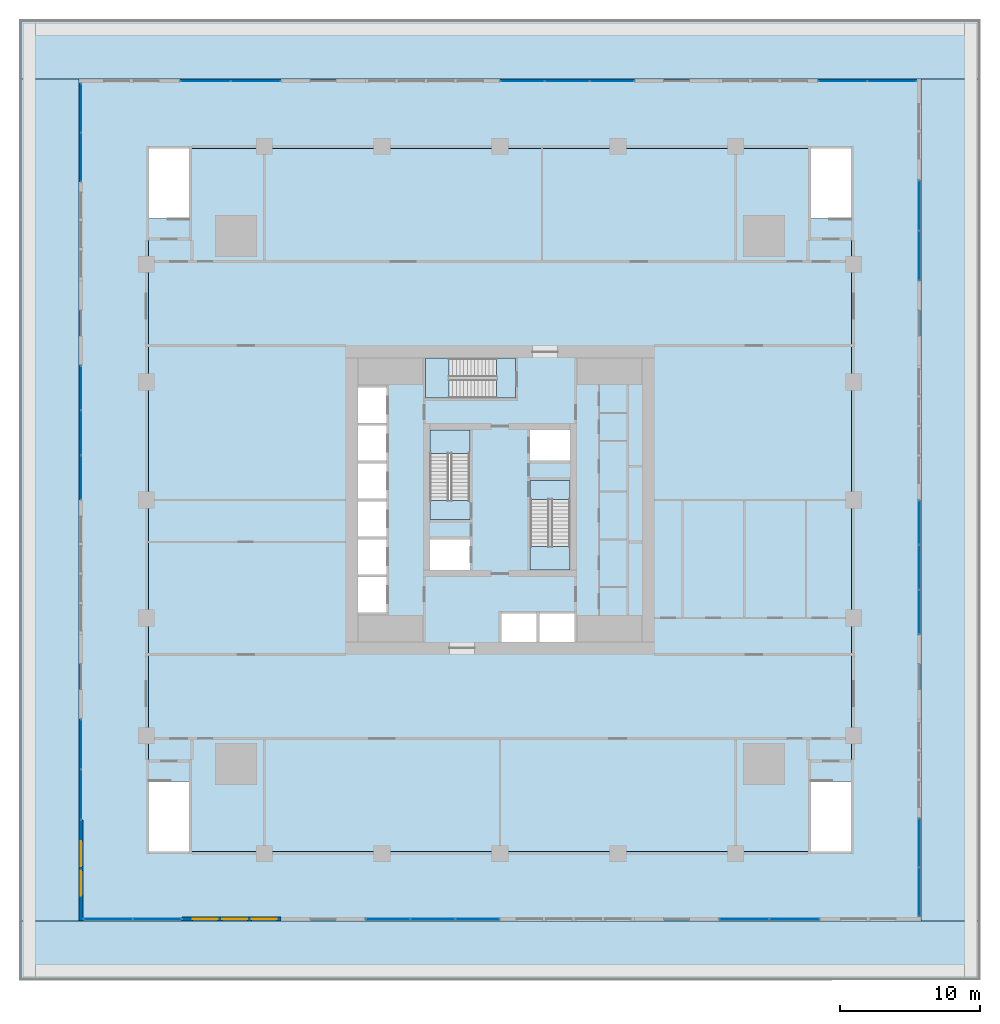
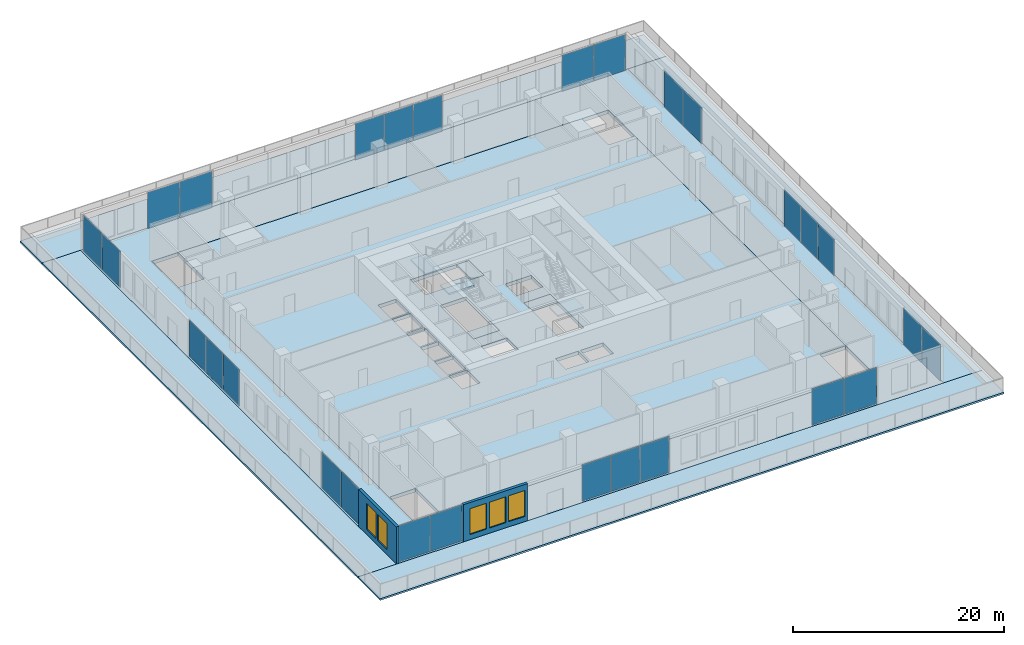
# One storey, part 11 of 22: 28 plates, 12 slabs, 5 windows, 2 walls, 5 openings, 15 elements without a shape of their own.
"""IFC4 building model written with IfcOpenShell, lengths in metres."""

import ifcopenshell
import ifcopenshell.guid

model = None  # the IFC model being written
_history = None  # IfcOwnerHistory: only IFC2X3 demands one
_inside = {}  # id of a spatial element -> (the spatial element, [elements in it])
_under = {}  # id of a project, library or spatial element -> (it, [spatial elements below it])
_declared = {}  # id of a project -> (the project, [libraries it declares])
_typed = {}  # id of a type object -> (the type object, [elements of that type])
_made_of = {}  # id of a material, layer set ... -> (it, [elements and type objects made of it])


def new_model(schema):
    """Start an empty IFC model of exactly this schema.

    Asked for "IFC4X3", IfcOpenShell would pick the latest addendum, in which some entities
    have other attributes; the version numbers below select the first issue.
    IFC2X3 requires an IfcOwnerHistory on every rooted entity: one is made here for all.
    """
    global model, _history
    if schema == "IFC4X3":
        model = ifcopenshell.file(schema_version=(4, 3, 0, 0))
    else:
        model = ifcopenshell.file(schema=schema)
    _inside.clear()
    _under.clear()
    _declared.clear()
    _typed.clear()
    _made_of.clear()
    _history = None
    if model.schema == "IFC2X3":
        org = make("IfcOrganization", Name="unknown")
        user = make(
            "IfcPersonAndOrganization",
            ThePerson=make("IfcPerson", FamilyName="unknown"),
            TheOrganization=org,
        )
        app = make(
            "IfcApplication",
            ApplicationDeveloper=org,
            Version="unknown",
            ApplicationFullName="unknown",
            ApplicationIdentifier="unknown",
        )
        _history = make(
            "IfcOwnerHistory",
            OwningUser=user,
            OwningApplication=app,
            ChangeAction="ADDED",
            CreationDate=0,
        )
    return model


def make(cls, **values):
    """One entity of the class cls with the attributes given. An attribute that is None is left unset."""
    return model.create_entity(
        cls, **{name: value for name, value in values.items() if value is not None}
    )


def rooted(cls, **values):
    """An entity with a GlobalId (a new one), such as an element, a storey or a relation."""
    return make(cls, GlobalId=ifcopenshell.guid.new(), OwnerHistory=_history, **values)


def si_unit(unit_type, name, prefix=None):
    """IfcSIUnit, for example si_unit("LENGTHUNIT", "METRE", prefix="MILLI")."""
    return make("IfcSIUnit", UnitType=unit_type, Prefix=prefix, Name=name)


def assignment(units):
    """IfcUnitAssignment: the units of a project."""
    return None if units is None else make("IfcUnitAssignment", Units=units)


def point(xyz):
    """IfcCartesianPoint."""
    return None if xyz is None else make("IfcCartesianPoint", Coordinates=xyz)


def direction(xyz):
    """IfcDirection."""
    return None if xyz is None else make("IfcDirection", DirectionRatios=xyz)


def frame(location, z_axis=None, x_axis=None):
    """IfcAxis2Placement3D, a coordinate frame: its origin and axes. An axis left out is left unset."""
    return make(
        "IfcAxis2Placement3D",
        Location=point(location),
        Axis=direction(z_axis),
        RefDirection=direction(x_axis),
    )


def frame_2d(location, x_axis=None):
    """IfcAxis2Placement2D, a coordinate frame in the plane: its origin and x axis."""
    return make(
        "IfcAxis2Placement2D", Location=point(location), RefDirection=direction(x_axis)
    )


def origin():
    """The frame at (0, 0, 0) with its axes left unset."""
    return frame((0.0, 0.0, 0.0))


def origin_2d():
    """The frame at (0, 0) in the plane with its x axis left unset."""
    return frame_2d((0.0, 0.0))


def place(relative_to, where):
    """IfcLocalPlacement: puts the frame where relative to a parent placement (None: the world)."""
    return make(
        "IfcLocalPlacement", PlacementRelTo=relative_to, RelativePlacement=where
    )


def context(
    kind, dimensions, precision=None, world=None, true_north=None, identifier=None
):
    """IfcGeometricRepresentationContext, for example the 3D "Model" context."""
    return make(
        "IfcGeometricRepresentationContext",
        ContextIdentifier=identifier,
        ContextType=kind,
        CoordinateSpaceDimension=dimensions,
        Precision=precision,
        WorldCoordinateSystem=world,
        TrueNorth=true_north,
    )


def subcontext(parent, identifier, kind, view, scale=None):
    """IfcGeometricRepresentationSubContext, for example "Body" below "Model"."""
    return make(
        "IfcGeometricRepresentationSubContext",
        ContextIdentifier=identifier,
        ContextType=kind,
        ParentContext=parent,
        TargetScale=scale,
        TargetView=view,
    )


def project(units=None, contexts=None):
    """IfcProject with its units and contexts."""
    return rooted(
        "IfcProject",
        Name="project",
        RepresentationContexts=contexts,
        UnitsInContext=assignment(units),
    )


def spatial(cls, under=None, at=None, **own):
    """A site, building, storey or space (cls), placed at a placement, below another one or the project."""
    s = rooted(cls, ObjectPlacement=at, **own)
    if under is not None:
        _under.setdefault(under.id(), (under, []))[1].append(s)
    return s


def polyline(points):
    """IfcPolyline through the points."""
    return make("IfcPolyline", Points=[point(p) for p in points])


def profile(cls, at=None, kind="AREA", **sizes):
    """A parametric profile (cls). Its sizes go by their IFC names, for example OverallWidth=200.0."""
    return make(cls, ProfileType=kind, Position=at, **sizes)


def rectangle(**sizes):
    """IfcRectangleProfileDef."""
    return profile("IfcRectangleProfileDef", **sizes)


def outline(outer, holes=None, kind="AREA"):
    """IfcArbitraryClosedProfileDef: a profile drawn as a closed curve; with holes, ...WithVoids."""
    if holes is None:
        return make("IfcArbitraryClosedProfileDef", ProfileType=kind, OuterCurve=outer)
    return make(
        "IfcArbitraryProfileDefWithVoids",
        ProfileType=kind,
        OuterCurve=outer,
        InnerCurves=holes,
    )


def extrude(swept, where, along, depth):
    """IfcExtrudedAreaSolid: the profile swept, set in the frame where, extruded along a direction by depth."""
    return make(
        "IfcExtrudedAreaSolid",
        SweptArea=swept,
        Position=where,
        ExtrudedDirection=direction(along),
        Depth=depth,
    )


def shape(context_of_items, identifier, shape_type, items):
    """IfcShapeRepresentation: the items that make up one representation, for example the "Body"."""
    return make(
        "IfcShapeRepresentation",
        ContextOfItems=context_of_items,
        RepresentationIdentifier=identifier,
        RepresentationType=shape_type,
        Items=items,
    )


def material(Name=None, Category=None):
    """IfcMaterial."""
    return make("IfcMaterial", Name=Name, Category=Category)


def layer(
    of_material, thickness, ventilated=None, Name=None, Category=None, Priority=None
):
    """IfcMaterialLayer: one layer of a wall or slab, of a material (None: an air gap)."""
    return make(
        "IfcMaterialLayer",
        Material=of_material,
        LayerThickness=thickness,
        IsVentilated=ventilated,
        Name=Name,
        Category=Category,
        Priority=Priority,
    )


def layer_set(layers, Name=None):
    """IfcMaterialLayerSet."""
    return make("IfcMaterialLayerSet", MaterialLayers=layers, LayerSetName=Name)


def made_of(thing, what):
    """Note that an element or type object is made of a material, layer set ...; save() writes the relation."""
    if what is not None:
        _made_of.setdefault(what.id(), (what, []))[1].append(thing)
    return thing


def type_object(cls, material=None, **own):
    """A type object (cls), such as IfcWallType, which elements share."""
    return made_of(rooted(cls, **own), material)


def element(
    cls,
    number,
    at=None,
    inside=None,
    cuts=None,
    type_object=None,
    material=None,
    context=None,
    identifier="Body",
    shape_type=None,
    held_by="IfcProductDefinitionShape",
    body=None,
    shapes=None,
    **own,
):
    """One element of the class cls, such as IfcWall. Its Tag is "e" and its number.

    at: its placement. inside: the storey or other place that contains it. cuts: it is an
    opening in that element (IfcRelVoidsElement). A single representation is given by context,
    identifier, shape_type and body (its items); several are given by shapes. held_by: the class
    of the entity that holds the representations. save() writes the other relations.
    """
    e = rooted(cls, Tag="e%d" % number, ObjectPlacement=at, **own)
    if body is not None:
        shapes = [shape(context, identifier, shape_type, body)]
    if shapes is not None:
        e.Representation = make(held_by, Representations=shapes)
    if inside is not None:
        _inside.setdefault(inside.id(), (inside, []))[1].append(e)
    if cuts is not None:
        rooted(
            "IfcRelVoidsElement", RelatingBuildingElement=cuts, RelatedOpeningElement=e
        )
    if type_object is not None:
        _typed.setdefault(type_object.id(), (type_object, []))[1].append(e)
    return made_of(e, material)


def fill(opening, filler):
    """IfcRelFillsElement: the door or window that sits in an opening."""
    return rooted(
        "IfcRelFillsElement",
        RelatingOpeningElement=opening,
        RelatedBuildingElement=filler,
    )


def aggregate(whole, parts):
    """IfcRelAggregates: a whole, such as a stair, and the parts it consists of."""
    return rooted("IfcRelAggregates", RelatingObject=whole, RelatedObjects=parts)


def save(model, path):
    """Write the relations noted so far, then the file.

    IfcRelAggregates (storeys below a building ...), IfcRelContainedInSpatialStructure (elements
    in a storey), IfcRelDefinesByType, IfcRelAssociatesMaterial and IfcRelDeclares: one each for
    every whole, place, type object, material and project.
    """
    for whole, parts in _under.values():
        aggregate(whole, parts)
    for where, things in _inside.values():
        rooted(
            "IfcRelContainedInSpatialStructure",
            RelatedElements=things,
            RelatingStructure=where,
        )
    for kind, things in _typed.values():
        rooted("IfcRelDefinesByType", RelatedObjects=things, RelatingType=kind)
    for what, things in _made_of.values():
        rooted("IfcRelAssociatesMaterial", RelatedObjects=things, RelatingMaterial=what)
    for by, libraries in _declared.values():
        rooted("IfcRelDeclares", RelatingContext=by, RelatedDefinitions=libraries)
    model.write(path)


model = new_model("IFC4")

# Units and contexts
model_context = context("Model", 3, precision=1e-05, world=origin(), true_north=direction((0.0, 1.0)))
body_context = subcontext(model_context, "Body", "Model", "MODEL_VIEW")
ifc_project = project(units=[si_unit("LENGTHUNIT", "METRE"), si_unit("AREAUNIT", "SQUARE_METRE"), si_unit("VOLUMEUNIT", "CUBIC_METRE"), si_unit("PLANEANGLEUNIT", "RADIAN"), si_unit("MASSUNIT", "GRAM", prefix="KILO")], contexts=[model_context])

# Site, building, storey
site_placement = place(None, origin())
site = spatial("IfcSite", under=ifc_project, at=site_placement, CompositionType="ELEMENT")
building_placement = place(site_placement, origin())
building = spatial("IfcBuilding", under=site, at=building_placement, Name="Khepri Terraces", CompositionType="ELEMENT")
storey_placement = place(building_placement, frame((0.0, 0.0, 22.199951171875)))
storey = spatial("IfcBuildingStorey", under=building, at=storey_placement, Name="L04", CompositionType="ELEMENT", Elevation=22.199951171875)

# Curtain wall, plates
ifc_material_1 = material(Name="Anodised aluminium bronze curtain wall", Category="aluminium")
curtain_wall_type = type_object("IfcCurtainWallType", Name="CW-SYS6-LOUNGE", PredefinedType="NOTDEFINED", material=ifc_material_1)
curtain_wall_1_placement = place(storey_placement, origin())
curtain_wall_1 = element("IfcCurtainWall", 1, at=curtain_wall_1_placement, inside=storey, type_object=curtain_wall_type, Name="Curtain wall CW6 L04 S", PredefinedType="NOTDEFINED")
ifc_material_2 = material(Name="Clear glass", Category="glass")
ifc_layer_1 = layer(ifc_material_2, 0.02392578125, Name="Clear glass", Category="glass")
ifc_layer_set_1 = layer_set([ifc_layer_1], Name="Clear glass")
plate_type = type_object("IfcPlateType", Name="CW-PANEL-VISION-24", PredefinedType="CURTAIN_PANEL", material=ifc_layer_set_1)
plate_1_placement = place(storey_placement, frame((-27.925048828125, -29.85009765625, 0.05029296875), z_axis=(0.0, 0.0, 1.0), x_axis=(1.0, 0.0, 0.0)))
plate_1 = element("IfcPlate", 2, at=plate_1_placement, type_object=plate_type, Name="CW6 panel 1.1", PredefinedType="CURTAIN_PANEL", context=body_context, shape_type="SweptSolid", body=[
    extrude(rectangle(XDim=3.449951171875, YDim=0.02392578125, at=origin_2d()), origin(), (0.0, 0.0, 1.0), 4.199951171875),
])
plate_2_placement = place(storey_placement, frame((-24.425048828125, -29.85009765625, 0.05029296875), z_axis=(0.0, 0.0, 1.0), x_axis=(1.0, 0.0, 0.0)))
plate_2 = element("IfcPlate", 3, at=plate_2_placement, type_object=plate_type, Name="CW6 panel 2.1", PredefinedType="CURTAIN_PANEL", context=body_context, shape_type="SweptSolid", body=[
    extrude(rectangle(XDim=3.449951171875, YDim=0.02392578125, at=origin_2d()), origin(), (0.0, 0.0, 1.0), 4.199951171875),
])
aggregate(curtain_wall_1, [plate_1, plate_2])

curtain_wall_2_placement = place(storey_placement, origin())
curtain_wall_2 = element("IfcCurtainWall", 4, at=curtain_wall_2_placement, inside=storey, type_object=curtain_wall_type, Name="Curtain wall CW6 L04 S", PredefinedType="NOTDEFINED")
plate_3_placement = place(storey_placement, frame((-7.987548828125, -29.85009765625, 0.05029296875), z_axis=(0.0, 0.0, 1.0), x_axis=(1.0, 0.0, 0.0)))
plate_3 = element("IfcPlate", 5, at=plate_3_placement, type_object=plate_type, Name="CW6 panel 1.1", PredefinedType="CURTAIN_PANEL", context=body_context, shape_type="SweptSolid", body=[
    extrude(rectangle(XDim=3.125, YDim=0.02392578125, at=origin_2d()), origin(), (0.0, 0.0, 1.0), 4.199951171875),
])
plate_4_placement = place(storey_placement, frame((-4.800048828125, -29.85009765625, 0.05029296875), z_axis=(0.0, 0.0, 1.0), x_axis=(1.0, 0.0, 0.0)))
plate_4 = element("IfcPlate", 6, at=plate_4_placement, type_object=plate_type, Name="CW6 panel 2.1", PredefinedType="CURTAIN_PANEL", context=body_context, shape_type="SweptSolid", body=[
    extrude(rectangle(XDim=3.14990234375, YDim=0.02392578125, at=origin_2d()), origin(), (0.0, 0.0, 1.0), 4.199951171875),
])
plate_5_placement = place(storey_placement, frame((-1.612548828125, -29.85009765625, 0.05029296875), z_axis=(0.0, 0.0, 1.0), x_axis=(1.0, 0.0, 0.0)))
plate_5 = element("IfcPlate", 7, at=plate_5_placement, type_object=plate_type, Name="CW6 panel 3.1", PredefinedType="CURTAIN_PANEL", context=body_context, shape_type="SweptSolid", body=[
    extrude(rectangle(XDim=3.125, YDim=0.02392578125, at=origin_2d()), origin(), (0.0, 0.0, 1.0), 4.199951171875),
])
aggregate(curtain_wall_2, [plate_3, plate_4, plate_5])

curtain_wall_3_placement = place(storey_placement, origin())
curtain_wall_3 = element("IfcCurtainWall", 8, at=curtain_wall_3_placement, inside=storey, type_object=curtain_wall_type, Name="Curtain wall CW6 L04 S", PredefinedType="NOTDEFINED")
plate_6_placement = place(storey_placement, frame((17.41259765625, -29.85009765625, 0.05029296875), z_axis=(0.0, 0.0, 1.0), x_axis=(1.0, 0.0, 0.0)))
plate_6 = element("IfcPlate", 9, at=plate_6_placement, type_object=plate_type, Name="CW6 panel 1.1", PredefinedType="CURTAIN_PANEL", context=body_context, shape_type="SweptSolid", body=[
    extrude(rectangle(XDim=3.52490234375, YDim=0.02392578125, at=origin_2d()), origin(), (0.0, 0.0, 1.0), 4.199951171875),
])
plate_7_placement = place(storey_placement, frame((20.987548828125, -29.85009765625, 0.05029296875), z_axis=(0.0, 0.0, 1.0), x_axis=(1.0, 0.0, 0.0)))
plate_7 = element("IfcPlate", 10, at=plate_7_placement, type_object=plate_type, Name="CW6 panel 2.1", PredefinedType="CURTAIN_PANEL", context=body_context, shape_type="SweptSolid", body=[
    extrude(rectangle(XDim=3.52490234375, YDim=0.02392578125, at=origin_2d()), origin(), (0.0, 0.0, 1.0), 4.199951171875),
])
aggregate(curtain_wall_3, [plate_6, plate_7])

curtain_wall_4_placement = place(storey_placement, origin())
curtain_wall_4 = element("IfcCurtainWall", 11, at=curtain_wall_4_placement, inside=storey, type_object=curtain_wall_type, Name="Curtain wall CW6 L04 E", PredefinedType="NOTDEFINED")
plate_8_placement = place(storey_placement, frame((29.85009765625, -27.925048828125, 0.05029296875), z_axis=(0.0, 0.0, 1.0), x_axis=(0.0, 1.0, 0.0)))
plate_8 = element("IfcPlate", 12, at=plate_8_placement, type_object=plate_type, Name="CW6 panel 1.1", PredefinedType="CURTAIN_PANEL", context=body_context, shape_type="SweptSolid", body=[
    extrude(rectangle(XDim=3.449951171875, YDim=0.02392578125, at=origin_2d()), origin(), (0.0, 0.0, 1.0), 4.199951171875),
])
plate_9_placement = place(storey_placement, frame((29.85009765625, -24.425048828125, 0.05029296875), z_axis=(0.0, 0.0, 1.0), x_axis=(0.0, 1.0, 0.0)))
plate_9 = element("IfcPlate", 13, at=plate_9_placement, type_object=plate_type, Name="CW6 panel 2.1", PredefinedType="CURTAIN_PANEL", context=body_context, shape_type="SweptSolid", body=[
    extrude(rectangle(XDim=3.449951171875, YDim=0.02392578125, at=origin_2d()), origin(), (0.0, 0.0, 1.0), 4.199951171875),
])
aggregate(curtain_wall_4, [plate_8, plate_9])

curtain_wall_5_placement = place(storey_placement, origin())
curtain_wall_5 = element("IfcCurtainWall", 14, at=curtain_wall_5_placement, inside=storey, type_object=curtain_wall_type, Name="Curtain wall CW6 L04 E", PredefinedType="NOTDEFINED")
plate_10_placement = place(storey_placement, frame((29.85009765625, -7.987548828125, 0.05029296875), z_axis=(0.0, 0.0, 1.0), x_axis=(0.0, 1.0, 0.0)))
plate_10 = element("IfcPlate", 15, at=plate_10_placement, type_object=plate_type, Name="CW6 panel 1.1", PredefinedType="CURTAIN_PANEL", context=body_context, shape_type="SweptSolid", body=[
    extrude(rectangle(XDim=3.125, YDim=0.02392578125, at=origin_2d()), origin(), (0.0, 0.0, 1.0), 4.199951171875),
])
plate_11_placement = place(storey_placement, frame((29.85009765625, -4.800048828125, 0.05029296875), z_axis=(0.0, 0.0, 1.0), x_axis=(0.0, 1.0, 0.0)))
plate_11 = element("IfcPlate", 16, at=plate_11_placement, type_object=plate_type, Name="CW6 panel 2.1", PredefinedType="CURTAIN_PANEL", context=body_context, shape_type="SweptSolid", body=[
    extrude(rectangle(XDim=3.14990234375, YDim=0.02392578125, at=origin_2d()), origin(), (0.0, 0.0, 1.0), 4.199951171875),
])
plate_12_placement = place(storey_placement, frame((29.85009765625, -1.612548828125, 0.05029296875), z_axis=(0.0, 0.0, 1.0), x_axis=(0.0, 1.0, 0.0)))
plate_12 = element("IfcPlate", 17, at=plate_12_placement, type_object=plate_type, Name="CW6 panel 3.1", PredefinedType="CURTAIN_PANEL", context=body_context, shape_type="SweptSolid", body=[
    extrude(rectangle(XDim=3.125, YDim=0.02392578125, at=origin_2d()), origin(), (0.0, 0.0, 1.0), 4.199951171875),
])
aggregate(curtain_wall_5, [plate_10, plate_11, plate_12])

curtain_wall_6_placement = place(storey_placement, origin())
curtain_wall_6 = element("IfcCurtainWall", 18, at=curtain_wall_6_placement, inside=storey, type_object=curtain_wall_type, Name="Curtain wall CW6 L04 E", PredefinedType="NOTDEFINED")
plate_13_placement = place(storey_placement, frame((29.85009765625, 17.41259765625, 0.05029296875), z_axis=(0.0, 0.0, 1.0), x_axis=(0.0, 1.0, 0.0)))
plate_13 = element("IfcPlate", 19, at=plate_13_placement, type_object=plate_type, Name="CW6 panel 1.1", PredefinedType="CURTAIN_PANEL", context=body_context, shape_type="SweptSolid", body=[
    extrude(rectangle(XDim=3.52490234375, YDim=0.02392578125, at=origin_2d()), origin(), (0.0, 0.0, 1.0), 4.199951171875),
])
plate_14_placement = place(storey_placement, frame((29.85009765625, 20.987548828125, 0.05029296875), z_axis=(0.0, 0.0, 1.0), x_axis=(0.0, 1.0, 0.0)))
plate_14 = element("IfcPlate", 20, at=plate_14_placement, type_object=plate_type, Name="CW6 panel 2.1", PredefinedType="CURTAIN_PANEL", context=body_context, shape_type="SweptSolid", body=[
    extrude(rectangle(XDim=3.52490234375, YDim=0.02392578125, at=origin_2d()), origin(), (0.0, 0.0, 1.0), 4.199951171875),
])
aggregate(curtain_wall_6, [plate_13, plate_14])

curtain_wall_7_placement = place(storey_placement, origin())
curtain_wall_7 = element("IfcCurtainWall", 21, at=curtain_wall_7_placement, inside=storey, type_object=curtain_wall_type, Name="Curtain wall CW6 L04 N", PredefinedType="NOTDEFINED")
plate_15_placement = place(storey_placement, frame((27.925048828125, 29.85009765625, 0.05029296875), z_axis=(0.0, 0.0, 1.0), x_axis=(-1.0, 0.0, 0.0)))
plate_15 = element("IfcPlate", 22, at=plate_15_placement, type_object=plate_type, Name="CW6 panel 1.1", PredefinedType="CURTAIN_PANEL", context=body_context, shape_type="SweptSolid", body=[
    extrude(rectangle(XDim=3.449951171875, YDim=0.02392578125, at=origin_2d()), origin(), (0.0, 0.0, 1.0), 4.199951171875),
])
plate_16_placement = place(storey_placement, frame((24.425048828125, 29.85009765625, 0.05029296875), z_axis=(0.0, 0.0, 1.0), x_axis=(-1.0, 0.0, 0.0)))
plate_16 = element("IfcPlate", 23, at=plate_16_placement, type_object=plate_type, Name="CW6 panel 2.1", PredefinedType="CURTAIN_PANEL", context=body_context, shape_type="SweptSolid", body=[
    extrude(rectangle(XDim=3.449951171875, YDim=0.02392578125, at=origin_2d()), origin(), (0.0, 0.0, 1.0), 4.199951171875),
])
aggregate(curtain_wall_7, [plate_15, plate_16])

curtain_wall_8_placement = place(storey_placement, origin())
curtain_wall_8 = element("IfcCurtainWall", 24, at=curtain_wall_8_placement, inside=storey, type_object=curtain_wall_type, Name="Curtain wall CW6 L04 N", PredefinedType="NOTDEFINED")
plate_17_placement = place(storey_placement, frame((7.987548828125, 29.85009765625, 0.05029296875), z_axis=(0.0, 0.0, 1.0), x_axis=(-1.0, 0.0, 0.0)))
plate_17 = element("IfcPlate", 25, at=plate_17_placement, type_object=plate_type, Name="CW6 panel 1.1", PredefinedType="CURTAIN_PANEL", context=body_context, shape_type="SweptSolid", body=[
    extrude(rectangle(XDim=3.125, YDim=0.02392578125, at=origin_2d()), origin(), (0.0, 0.0, 1.0), 4.199951171875),
])
plate_18_placement = place(storey_placement, frame((4.800048828125, 29.85009765625, 0.05029296875), z_axis=(0.0, 0.0, 1.0), x_axis=(-1.0, 0.0, 0.0)))
plate_18 = element("IfcPlate", 26, at=plate_18_placement, type_object=plate_type, Name="CW6 panel 2.1", PredefinedType="CURTAIN_PANEL", context=body_context, shape_type="SweptSolid", body=[
    extrude(rectangle(XDim=3.14990234375, YDim=0.02392578125, at=origin_2d()), origin(), (0.0, 0.0, 1.0), 4.199951171875),
])
plate_19_placement = place(storey_placement, frame((1.612548828125, 29.85009765625, 0.05029296875), z_axis=(0.0, 0.0, 1.0), x_axis=(-1.0, 0.0, 0.0)))
plate_19 = element("IfcPlate", 27, at=plate_19_placement, type_object=plate_type, Name="CW6 panel 3.1", PredefinedType="CURTAIN_PANEL", context=body_context, shape_type="SweptSolid", body=[
    extrude(rectangle(XDim=3.125, YDim=0.02392578125, at=origin_2d()), origin(), (0.0, 0.0, 1.0), 4.199951171875),
])
aggregate(curtain_wall_8, [plate_17, plate_18, plate_19])

curtain_wall_9_placement = place(storey_placement, origin())
curtain_wall_9 = element("IfcCurtainWall", 28, at=curtain_wall_9_placement, inside=storey, type_object=curtain_wall_type, Name="Curtain wall CW6 L04 N", PredefinedType="NOTDEFINED")
plate_20_placement = place(storey_placement, frame((-17.41259765625, 29.85009765625, 0.05029296875), z_axis=(0.0, 0.0, 1.0), x_axis=(-1.0, 0.0, 0.0)))
plate_20 = element("IfcPlate", 29, at=plate_20_placement, type_object=plate_type, Name="CW6 panel 1.1", PredefinedType="CURTAIN_PANEL", context=body_context, shape_type="SweptSolid", body=[
    extrude(rectangle(XDim=3.52490234375, YDim=0.02392578125, at=origin_2d()), origin(), (0.0, 0.0, 1.0), 4.199951171875),
])
plate_21_placement = place(storey_placement, frame((-20.987548828125, 29.85009765625, 0.05029296875), z_axis=(0.0, 0.0, 1.0), x_axis=(-1.0, 0.0, 0.0)))
plate_21 = element("IfcPlate", 30, at=plate_21_placement, type_object=plate_type, Name="CW6 panel 2.1", PredefinedType="CURTAIN_PANEL", context=body_context, shape_type="SweptSolid", body=[
    extrude(rectangle(XDim=3.52490234375, YDim=0.02392578125, at=origin_2d()), origin(), (0.0, 0.0, 1.0), 4.199951171875),
])
aggregate(curtain_wall_9, [plate_20, plate_21])

curtain_wall_10_placement = place(storey_placement, origin())
curtain_wall_10 = element("IfcCurtainWall", 31, at=curtain_wall_10_placement, inside=storey, type_object=curtain_wall_type, Name="Curtain wall CW6 L04 W", PredefinedType="NOTDEFINED")
plate_22_placement = place(storey_placement, frame((-29.85009765625, 27.925048828125, 0.05029296875), z_axis=(0.0, 0.0, 1.0), x_axis=(0.0, -1.0, 0.0)))
plate_22 = element("IfcPlate", 32, at=plate_22_placement, type_object=plate_type, Name="CW6 panel 1.1", PredefinedType="CURTAIN_PANEL", context=body_context, shape_type="SweptSolid", body=[
    extrude(rectangle(XDim=3.449951171875, YDim=0.02392578125, at=origin_2d()), origin(), (0.0, 0.0, 1.0), 4.199951171875),
])
plate_23_placement = place(storey_placement, frame((-29.85009765625, 24.425048828125, 0.05029296875), z_axis=(0.0, 0.0, 1.0), x_axis=(0.0, -1.0, 0.0)))
plate_23 = element("IfcPlate", 33, at=plate_23_placement, type_object=plate_type, Name="CW6 panel 2.1", PredefinedType="CURTAIN_PANEL", context=body_context, shape_type="SweptSolid", body=[
    extrude(rectangle(XDim=3.449951171875, YDim=0.02392578125, at=origin_2d()), origin(), (0.0, 0.0, 1.0), 4.199951171875),
])
aggregate(curtain_wall_10, [plate_22, plate_23])

curtain_wall_11_placement = place(storey_placement, origin())
curtain_wall_11 = element("IfcCurtainWall", 34, at=curtain_wall_11_placement, inside=storey, type_object=curtain_wall_type, Name="Curtain wall CW6 L04 W", PredefinedType="NOTDEFINED")
plate_24_placement = place(storey_placement, frame((-29.85009765625, 7.987548828125, 0.05029296875), z_axis=(0.0, 0.0, 1.0), x_axis=(0.0, -1.0, 0.0)))
plate_24 = element("IfcPlate", 35, at=plate_24_placement, type_object=plate_type, Name="CW6 panel 1.1", PredefinedType="CURTAIN_PANEL", context=body_context, shape_type="SweptSolid", body=[
    extrude(rectangle(XDim=3.125, YDim=0.02392578125, at=origin_2d()), origin(), (0.0, 0.0, 1.0), 4.199951171875),
])
plate_25_placement = place(storey_placement, frame((-29.85009765625, 4.800048828125, 0.05029296875), z_axis=(0.0, 0.0, 1.0), x_axis=(0.0, -1.0, 0.0)))
plate_25 = element("IfcPlate", 36, at=plate_25_placement, type_object=plate_type, Name="CW6 panel 2.1", PredefinedType="CURTAIN_PANEL", context=body_context, shape_type="SweptSolid", body=[
    extrude(rectangle(XDim=3.14990234375, YDim=0.02392578125, at=origin_2d()), origin(), (0.0, 0.0, 1.0), 4.199951171875),
])
plate_26_placement = place(storey_placement, frame((-29.85009765625, 1.612548828125, 0.05029296875), z_axis=(0.0, 0.0, 1.0), x_axis=(0.0, -1.0, 0.0)))
plate_26 = element("IfcPlate", 37, at=plate_26_placement, type_object=plate_type, Name="CW6 panel 3.1", PredefinedType="CURTAIN_PANEL", context=body_context, shape_type="SweptSolid", body=[
    extrude(rectangle(XDim=3.125, YDim=0.02392578125, at=origin_2d()), origin(), (0.0, 0.0, 1.0), 4.199951171875),
])
aggregate(curtain_wall_11, [plate_24, plate_25, plate_26])

curtain_wall_12_placement = place(storey_placement, origin())
curtain_wall_12 = element("IfcCurtainWall", 38, at=curtain_wall_12_placement, inside=storey, type_object=curtain_wall_type, Name="Curtain wall CW6 L04 W", PredefinedType="NOTDEFINED")
plate_27_placement = place(storey_placement, frame((-29.85009765625, -17.41259765625, 0.05029296875), z_axis=(0.0, 0.0, 1.0), x_axis=(0.0, -1.0, 0.0)))
plate_27 = element("IfcPlate", 39, at=plate_27_placement, type_object=plate_type, Name="CW6 panel 1.1", PredefinedType="CURTAIN_PANEL", context=body_context, shape_type="SweptSolid", body=[
    extrude(rectangle(XDim=3.52490234375, YDim=0.02392578125, at=origin_2d()), origin(), (0.0, 0.0, 1.0), 4.199951171875),
])
plate_28_placement = place(storey_placement, frame((-29.85009765625, -20.987548828125, 0.05029296875), z_axis=(0.0, 0.0, 1.0), x_axis=(0.0, -1.0, 0.0)))
plate_28 = element("IfcPlate", 40, at=plate_28_placement, type_object=plate_type, Name="CW6 panel 2.1", PredefinedType="CURTAIN_PANEL", context=body_context, shape_type="SweptSolid", body=[
    extrude(rectangle(XDim=3.52490234375, YDim=0.02392578125, at=origin_2d()), origin(), (0.0, 0.0, 1.0), 4.199951171875),
])
aggregate(curtain_wall_12, [plate_27, plate_28])

# Slabs
ifc_material_3 = material(Name="Concrete C35/45", Category="concrete")
ifc_layer_2 = layer(ifc_material_3, 0.199951171875, Name="Concrete C35/45", Category="concrete")
ifc_layer_set_2 = layer_set([ifc_layer_2], Name="Concrete C35/45")
slab_type_1 = type_object("IfcSlabType", Name="Composite floor slab 200", PredefinedType="FLOOR", material=ifc_layer_set_2)
slab_1_placement = place(storey_placement, frame((0.0, 0.0, -0.199951171875)))
element("IfcSlab", 41, at=slab_1_placement, inside=storey, type_object=slab_type_1, Name="Floor slab C01 L04", PredefinedType="FLOOR", context=body_context, shape_type="SweptSolid", body=[
    extrude(outline(polyline([(-30.0, -30.0), (-30.0, 30.0), (30.0, 30.0), (30.0, -30.0), (-30.0, -30.0)]), holes=[polyline([(25.050048828125, 25.050048828125), (-25.050048828125, 25.050048828125), (-25.050048828125, -25.050048828125), (25.050048828125, -25.050048828125), (25.050048828125, 25.050048828125)])]), origin(), (0.0, 0.0, 1.0), 0.199951171875),
])
ifc_layer_3 = layer(ifc_material_3, 0.199951171875, Name="Concrete C35/45", Category="concrete")
ifc_layer_set_3 = layer_set([ifc_layer_3], Name="Concrete C35/45")
slab_type_2 = type_object("IfcSlabType", Name="Composite terrace slab 200", PredefinedType="ROOF", material=ifc_layer_set_3)
slab_2_placement = place(storey_placement, frame((0.0, 0.0, -0.199951171875)))
element("IfcSlab", 42, at=slab_2_placement, inside=storey, type_object=slab_type_2, Name="Terrace slab L04-podium-0", PredefinedType="ROOF", context=body_context, shape_type="SweptSolid", body=[
    extrude(outline(polyline([(34.199951171875, -34.199951171875), (-34.199951171875, -34.199951171875), (-34.199951171875, -30.0), (-30.0, -30.0), (30.0, -30.0), (34.199951171875, -30.0), (34.199951171875, -34.199951171875)])), origin(), (0.0, 0.0, 1.0), 0.199951171875),
])
slab_3_placement = place(storey_placement, frame((0.0, 0.0, -0.199951171875)))
element("IfcSlab", 43, at=slab_3_placement, inside=storey, type_object=slab_type_2, Name="Terrace slab L04-podium-1", PredefinedType="ROOF", context=body_context, shape_type="SweptSolid", body=[
    extrude(outline(polyline([(34.199951171875, -30.0), (30.0, -30.0), (30.0, 30.0), (34.199951171875, 30.0), (34.199951171875, -30.0)])), origin(), (0.0, 0.0, 1.0), 0.199951171875),
])
slab_4_placement = place(storey_placement, frame((0.0, 0.0, -0.199951171875)))
element("IfcSlab", 44, at=slab_4_placement, inside=storey, type_object=slab_type_2, Name="Terrace slab L04-podium-2", PredefinedType="ROOF", context=body_context, shape_type="SweptSolid", body=[
    extrude(outline(polyline([(34.199951171875, 34.199951171875), (34.199951171875, 30.0), (30.0, 30.0), (-30.0, 30.0), (-34.199951171875, 30.0), (-34.199951171875, 34.199951171875), (34.199951171875, 34.199951171875)])), origin(), (0.0, 0.0, 1.0), 0.199951171875),
])
slab_5_placement = place(storey_placement, frame((0.0, 0.0, -0.199951171875)))
element("IfcSlab", 45, at=slab_5_placement, inside=storey, type_object=slab_type_2, Name="Terrace slab L04-podium-3", PredefinedType="ROOF", context=body_context, shape_type="SweptSolid", body=[
    extrude(outline(polyline([(-34.199951171875, 30.0), (-30.0, 30.0), (-30.0, -30.0), (-34.199951171875, -30.0), (-34.199951171875, 30.0)])), origin(), (0.0, 0.0, 1.0), 0.199951171875),
])
ifc_material_4 = material(Name="Concrete C40/50", Category="concrete")
ifc_layer_4 = layer(ifc_material_4, 0.419921875, Name="Concrete C40/50", Category="concrete")
ifc_layer_set_4 = layer_set([ifc_layer_4], Name="Concrete C40/50")
slab_type_3 = type_object("IfcSlabType", Name="Flat plate 420", PredefinedType="FLOOR", material=ifc_layer_set_4)
slab_6_placement = place(storey_placement, frame((0.0, 0.0, -0.419921875)))
element("IfcSlab", 46, at=slab_6_placement, inside=storey, type_object=slab_type_3, Name="Floor slab F01 L04", PredefinedType="FLOOR", context=body_context, shape_type="SweptSolid", body=[
    extrude(outline(polyline([(-25.050048828125, 25.050048828125), (25.050048828125, 25.050048828125), (25.050048828125, -25.050048828125), (-25.050048828125, -25.050048828125), (-25.050048828125, 25.050048828125)]), holes=[polyline([(5.0, 5.0), (2.14990234375, 5.0), (2.14990234375, 2.800048828125), (5.0, 2.800048828125), (5.0, 5.0)]), polyline([(-2.14990234375, -5.0), (-2.14990234375, -2.800048828125), (-5.0, -2.800048828125), (-5.0, -5.0), (-2.14990234375, -5.0)]), polyline([(-10.10009765625, -8.0), (-8.10009765625, -8.0), (-8.10009765625, -5.5), (-10.10009765625, -5.5), (-10.10009765625, -8.0)]), polyline([(-10.10009765625, -2.800048828125), (-10.10009765625, -5.300048828125), (-8.10009765625, -5.300048828125), (-8.10009765625, -2.800048828125), (-10.10009765625, -2.800048828125)]), polyline([(-8.10009765625, -0.10009765625), (-10.10009765625, -0.10009765625), (-10.10009765625, -2.60009765625), (-8.10009765625, -2.60009765625), (-8.10009765625, -0.10009765625)]), polyline([(-8.10009765625, 0.10009765625), (-8.10009765625, 2.60009765625), (-10.10009765625, 2.60009765625), (-10.10009765625, 0.10009765625), (-8.10009765625, 0.10009765625)]), polyline([(-10.10009765625, 2.800048828125), (-8.10009765625, 2.800048828125), (-8.10009765625, 5.300048828125), (-10.10009765625, 5.300048828125), (-10.10009765625, 2.800048828125)]), polyline([(-10.10009765625, 8.0), (-10.10009765625, 5.5), (-8.10009765625, 5.5), (-8.10009765625, 8.0), (-10.10009765625, 8.0)]), polyline([(2.60009765625, -8.10009765625), (0.10009765625, -8.10009765625), (0.10009765625, -10.10009765625), (2.60009765625, -10.10009765625), (2.60009765625, -8.10009765625)]), polyline([(5.300048828125, -10.10009765625), (5.300048828125, -8.10009765625), (2.800048828125, -8.10009765625), (2.800048828125, -10.10009765625), (5.300048828125, -10.10009765625)]), polyline([(-5.0, -1.39990234375), (-2.14990234375, -1.39990234375), (-2.14990234375, 5.0), (-5.0, 5.0), (-5.0, -1.39990234375)]), polyline([(5.0, -5.0), (5.0, 1.39990234375), (2.14990234375, 1.39990234375), (2.14990234375, -5.0), (5.0, -5.0)]), polyline([(-5.300048828125, 10.10009765625), (-5.300048828125, 7.25), (1.10009765625, 7.25), (1.10009765625, 10.10009765625), (-5.300048828125, 10.10009765625)]), polyline([(22.14990234375, 25.0400390625), (22.14990234375, 20.050537109375), (25.0, 20.050537109375), (25.0, 25.0400390625), (22.14990234375, 25.0400390625)]), polyline([(-22.14990234375, 25.0400390625), (-25.0, 25.0400390625), (-25.0, 20.050537109375), (-22.14990234375, 20.050537109375), (-22.14990234375, 25.0400390625)]), polyline([(22.14990234375, -20.050537109375), (22.14990234375, -25.0400390625), (25.0, -25.0400390625), (25.0, -20.050537109375), (22.14990234375, -20.050537109375)]), polyline([(-22.14990234375, -20.050537109375), (-25.0, -20.050537109375), (-25.0, -25.0400390625), (-22.14990234375, -25.0400390625), (-22.14990234375, -20.050537109375)])]), origin(), (0.0, 0.0, 1.0), 0.419921875),
])

# Stair, slabs
stair_type = type_object("IfcStairType", Name="STAIR-RC-28R", PredefinedType="HALF_TURN_STAIR", material=ifc_material_4)
stair_1_placement = place(storey_placement, origin())
stair_1 = element("IfcStair", 47, at=stair_1_placement, inside=storey, type_object=stair_type, Name="L04 Exit Stair ST-1", PredefinedType="HALF_TURN_STAIR")
ifc_layer_5 = layer(ifc_material_4, 0.199951171875, Name="Concrete C40/50", Category="concrete")
ifc_layer_set_5 = layer_set([ifc_layer_5], Name="Concrete C40/50")
slab_type_4 = type_object("IfcSlabType", Name="SLB-CORE-LANDING", PredefinedType="LANDING", material=ifc_layer_set_5)
slab_7_placement = place(storey_placement, frame((0.0, 0.0, -0.199951171875)))
slab_7 = element("IfcSlab", 48, at=slab_7_placement, type_object=slab_type_4, Name="ST-1 landing 1", PredefinedType="LANDING", context=body_context, shape_type="SweptSolid", body=[
    extrude(outline(polyline([(-2.14990234375, -1.39990234375), (-2.14990234375, -0.050048828125), (-5.0, -0.050048828125), (-5.0, -1.39990234375), (-2.14990234375, -1.39990234375)])), origin(), (0.0, 0.0, 1.0), 0.199951171875),
])
slab_8_placement = place(storey_placement, frame((0.0, 0.0, 2.199951171875)))
slab_8 = element("IfcSlab", 49, at=slab_8_placement, type_object=slab_type_4, Name="ST-1 landing 2", PredefinedType="LANDING", context=body_context, shape_type="SweptSolid", body=[
    extrude(outline(polyline([(-2.14990234375, 3.330078125), (-2.14990234375, 5.0), (-5.0, 5.0), (-5.0, 3.330078125), (-2.14990234375, 3.330078125)])), origin(), (0.0, 0.0, 1.0), 0.2001953125),
])
aggregate(stair_1, [slab_7, slab_8])

stair_2_placement = place(storey_placement, origin())
stair_2 = element("IfcStair", 50, at=stair_2_placement, inside=storey, type_object=stair_type, Name="L04 Exit Stair ST-2", PredefinedType="HALF_TURN_STAIR")
slab_9_placement = place(storey_placement, frame((0.0, 0.0, -0.199951171875)))
slab_9 = element("IfcSlab", 51, at=slab_9_placement, type_object=slab_type_4, Name="ST-2 landing 1", PredefinedType="LANDING", context=body_context, shape_type="SweptSolid", body=[
    extrude(outline(polyline([(2.14990234375, 1.39990234375), (2.14990234375, 0.050048828125), (5.0, 0.050048828125), (5.0, 1.39990234375), (2.14990234375, 1.39990234375)])), origin(), (0.0, 0.0, 1.0), 0.199951171875),
])
slab_10_placement = place(storey_placement, frame((0.0, 0.0, 2.199951171875)))
slab_10 = element("IfcSlab", 52, at=slab_10_placement, type_object=slab_type_4, Name="ST-2 landing 2", PredefinedType="LANDING", context=body_context, shape_type="SweptSolid", body=[
    extrude(outline(polyline([(2.14990234375, -3.330078125), (2.14990234375, -5.0), (5.0, -5.0), (5.0, -3.330078125), (2.14990234375, -3.330078125)])), origin(), (0.0, 0.0, 1.0), 0.2001953125),
])
aggregate(stair_2, [slab_9, slab_10])

stair_3_placement = place(storey_placement, origin())
stair_3 = element("IfcStair", 53, at=stair_3_placement, inside=storey, type_object=stair_type, Name="L04 Exit Stair ST-3", PredefinedType="HALF_TURN_STAIR")
slab_11_placement = place(storey_placement, frame((0.0, 0.0, -0.199951171875)))
slab_11 = element("IfcSlab", 54, at=slab_11_placement, type_object=slab_type_4, Name="ST-3 landing 1", PredefinedType="LANDING", context=body_context, shape_type="SweptSolid", body=[
    extrude(outline(polyline([(1.10009765625, 10.10009765625), (-0.25, 10.10009765625), (-0.25, 7.25), (1.10009765625, 7.25), (1.10009765625, 10.10009765625)])), origin(), (0.0, 0.0, 1.0), 0.199951171875),
])
slab_12_placement = place(storey_placement, frame((0.0, 0.0, 2.199951171875)))
slab_12 = element("IfcSlab", 55, at=slab_12_placement, type_object=slab_type_4, Name="ST-3 landing 2", PredefinedType="LANDING", context=body_context, shape_type="SweptSolid", body=[
    extrude(outline(polyline([(-3.6298828125, 10.10009765625), (-5.300048828125, 10.10009765625), (-5.300048828125, 7.25), (-3.6298828125, 7.25), (-3.6298828125, 10.10009765625)])), origin(), (0.0, 0.0, 1.0), 0.2001953125),
])
aggregate(stair_3, [slab_11, slab_12])

# Wall, openings, windows
ifc_material_5 = material(Name="Precast concrete C50/60 warm stone", Category="masonry")
ifc_layer_6 = layer(ifc_material_5, 0.300048828125, Name="Precast concrete C50/60 warm stone", Category="masonry")
ifc_layer_set_6 = layer_set([ifc_layer_6], Name="Precast concrete C50/60 warm stone")
wall_type = type_object("IfcWallType", Name="WL-EXT-PRECAST-300", PredefinedType="STANDARD", material=ifc_layer_set_6)
wall_1_placement = place(storey_placement, frame((-22.64990234375, -29.85009765625, 0.0), z_axis=(0.0, 0.0, 1.0), x_axis=(1.0, 0.0, 0.0)))
wall_1 = element("IfcWall", 56, at=wall_1_placement, inside=storey, type_object=wall_type, Name="External wall L04 S", PredefinedType="STANDARD", context=body_context, shape_type="SweptSolid", body=[
    extrude(rectangle(XDim=7.0498046875, YDim=0.300048828125, at=frame_2d((3.52490234375, 0.0))), origin(), (0.0, 0.0, 1.0), 4.300048828125),
])
opening_1_placement = place(wall_1_placement, frame((0.75, 0.0, 0.60009765625)))
opening_1 = element("IfcOpeningElement", 57, at=opening_1_placement, cuts=wall_1, Name="Opening WP1", PredefinedType="OPENING", context=body_context, shape_type="SweptSolid", body=[
    extrude(rectangle(XDim=1.800048828125, YDim=3.0, at=frame_2d((0.89990234375, 1.5))), frame((0.0, 0.16015625, 0.0), z_axis=(0.0, -1.0, 0.0), x_axis=(1.0, 0.0, 0.0)), (0.0, 0.0, 1.0), 0.320068359375),
])
opening_2_placement = place(wall_1_placement, frame((2.85009765625, 0.0, 0.60009765625)))
opening_2 = element("IfcOpeningElement", 58, at=opening_2_placement, cuts=wall_1, Name="Opening WP1", PredefinedType="OPENING", context=body_context, shape_type="SweptSolid", body=[
    extrude(rectangle(XDim=1.800048828125, YDim=3.0, at=frame_2d((0.89990234375, 1.5))), frame((0.0, 0.16015625, 0.0), z_axis=(0.0, -1.0, 0.0), x_axis=(1.0, 0.0, 0.0)), (0.0, 0.0, 1.0), 0.320068359375),
])
opening_3_placement = place(wall_1_placement, frame((4.949951171875, 0.0, 0.60009765625)))
opening_3 = element("IfcOpeningElement", 59, at=opening_3_placement, cuts=wall_1, Name="Opening WP1", PredefinedType="OPENING", context=body_context, shape_type="SweptSolid", body=[
    extrude(rectangle(XDim=1.800048828125, YDim=3.0, at=frame_2d((0.89990234375, 1.5))), frame((0.0, 0.16015625, 0.0), z_axis=(0.0, -1.0, 0.0), x_axis=(1.0, 0.0, 0.0)), (0.0, 0.0, 1.0), 0.320068359375),
])
window_type = type_object("IfcWindowType", Name="WIN-POD-1800x3000", PartitioningType="SINGLE_PANEL", PredefinedType="WINDOW", material=ifc_material_2)
window_1_placement = place(opening_1_placement, origin())
window_1 = element("IfcWindow", 60, at=window_1_placement, inside=storey, type_object=window_type, Name="Window L04 S", OverallHeight=3.0, OverallWidth=1.800048828125, PartitioningType="SINGLE_PANEL", PredefinedType="WINDOW", context=body_context, shape_type="SweptSolid", body=[
    extrude(rectangle(XDim=1.800048828125, YDim=3.0, at=frame_2d((0.89990234375, 1.5))), frame((0.0, 0.030029296875, 0.0), z_axis=(0.0, -1.0, 0.0), x_axis=(1.0, 0.0, 0.0)), (0.0, 0.0, 1.0), 0.06005859375),
])
fill(opening_1, window_1)
window_2_placement = place(opening_2_placement, origin())
window_2 = element("IfcWindow", 61, at=window_2_placement, inside=storey, type_object=window_type, Name="Window L04 S", OverallHeight=3.0, OverallWidth=1.800048828125, PartitioningType="SINGLE_PANEL", PredefinedType="WINDOW", context=body_context, shape_type="SweptSolid", body=[
    extrude(rectangle(XDim=1.800048828125, YDim=3.0, at=frame_2d((0.89990234375, 1.5))), frame((0.0, 0.030029296875, 0.0), z_axis=(0.0, -1.0, 0.0), x_axis=(1.0, 0.0, 0.0)), (0.0, 0.0, 1.0), 0.06005859375),
])
fill(opening_2, window_2)
window_3_placement = place(opening_3_placement, origin())
window_3 = element("IfcWindow", 62, at=window_3_placement, inside=storey, type_object=window_type, Name="Window L04 S", OverallHeight=3.0, OverallWidth=1.800048828125, PartitioningType="SINGLE_PANEL", PredefinedType="WINDOW", context=body_context, shape_type="SweptSolid", body=[
    extrude(rectangle(XDim=1.800048828125, YDim=3.0, at=frame_2d((0.89990234375, 1.5))), frame((0.0, 0.030029296875, 0.0), z_axis=(0.0, -1.0, 0.0), x_axis=(1.0, 0.0, 0.0)), (0.0, 0.0, 1.0), 0.06005859375),
])
fill(opening_3, window_3)

wall_2_placement = place(storey_placement, frame((-29.85009765625, -22.800048828125, 0.0), z_axis=(0.0, 0.0, 1.0), x_axis=(0.0, -1.0, 0.0)))
wall_2 = element("IfcWall", 63, at=wall_2_placement, inside=storey, type_object=wall_type, Name="External wall L04 W", PredefinedType="STANDARD", context=body_context, shape_type="SweptSolid", body=[
    extrude(rectangle(XDim=7.199951171875, YDim=0.300048828125, at=frame_2d((3.60009765625, 0.0))), origin(), (0.0, 0.0, 1.0), 4.300048828125),
])
opening_4_placement = place(wall_2_placement, frame((1.5, 0.0, 0.60009765625)))
opening_4 = element("IfcOpeningElement", 64, at=opening_4_placement, cuts=wall_2, Name="Opening WP1", PredefinedType="OPENING", context=body_context, shape_type="SweptSolid", body=[
    extrude(rectangle(XDim=1.800048828125, YDim=3.0, at=frame_2d((0.89990234375, 1.5))), frame((0.0, 0.16015625, 0.0), z_axis=(0.0, -1.0, 0.0), x_axis=(1.0, 0.0, 0.0)), (0.0, 0.0, 1.0), 0.320068359375),
])
opening_5_placement = place(wall_2_placement, frame((3.60009765625, 0.0, 0.60009765625)))
opening_5 = element("IfcOpeningElement", 65, at=opening_5_placement, cuts=wall_2, Name="Opening WP1", PredefinedType="OPENING", context=body_context, shape_type="SweptSolid", body=[
    extrude(rectangle(XDim=1.800048828125, YDim=3.0, at=frame_2d((0.89990234375, 1.5))), frame((0.0, 0.16015625, 0.0), z_axis=(0.0, -1.0, 0.0), x_axis=(1.0, 0.0, 0.0)), (0.0, 0.0, 1.0), 0.320068359375),
])
window_4_placement = place(opening_4_placement, origin())
window_4 = element("IfcWindow", 66, at=window_4_placement, inside=storey, type_object=window_type, Name="Window L04 W", OverallHeight=3.0, OverallWidth=1.800048828125, PartitioningType="SINGLE_PANEL", PredefinedType="WINDOW", context=body_context, shape_type="SweptSolid", body=[
    extrude(rectangle(XDim=1.800048828125, YDim=3.0, at=frame_2d((0.89990234375, 1.5))), frame((0.0, 0.030029296875, 0.0), z_axis=(0.0, -1.0, 0.0), x_axis=(1.0, 0.0, 0.0)), (0.0, 0.0, 1.0), 0.06005859375),
])
fill(opening_4, window_4)
window_5_placement = place(opening_5_placement, origin())
window_5 = element("IfcWindow", 67, at=window_5_placement, inside=storey, type_object=window_type, Name="Window L04 W", OverallHeight=3.0, OverallWidth=1.800048828125, PartitioningType="SINGLE_PANEL", PredefinedType="WINDOW", context=body_context, shape_type="SweptSolid", body=[
    extrude(rectangle(XDim=1.800048828125, YDim=3.0, at=frame_2d((0.89990234375, 1.5))), frame((0.0, 0.030029296875, 0.0), z_axis=(0.0, -1.0, 0.0), x_axis=(1.0, 0.0, 0.0)), (0.0, 0.0, 1.0), 0.06005859375),
])
fill(opening_5, window_5)

save(model, "model.ifc")
